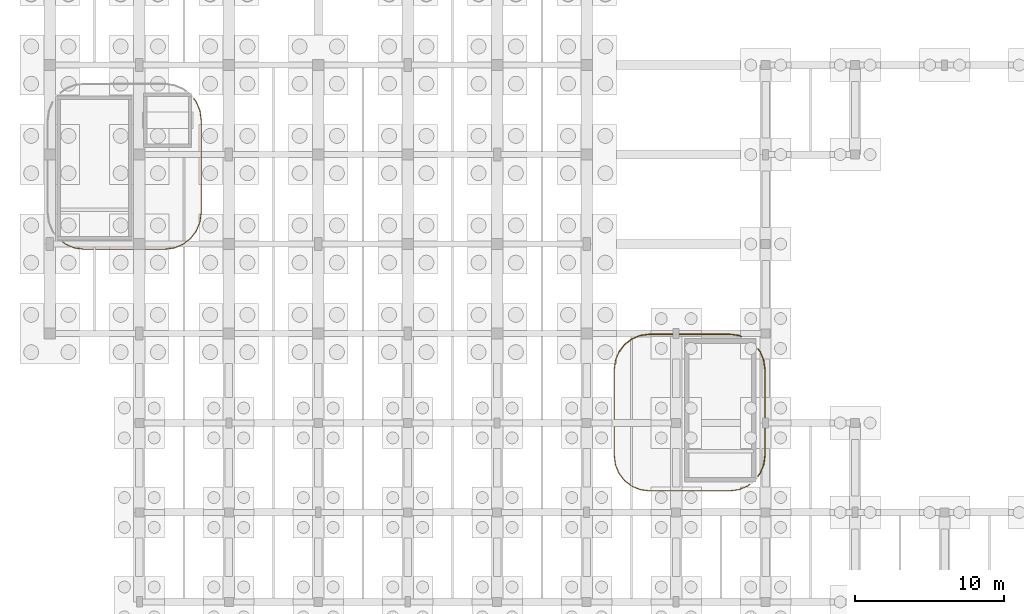
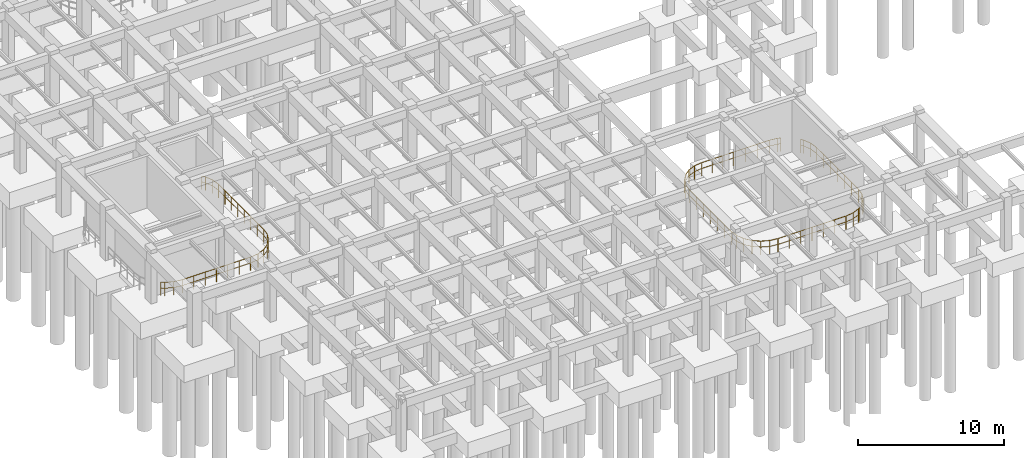
# One storey, part 23 of 32: 5 railings.
"""IFC4 building model written with IfcOpenShell, lengths in metres."""

from ifc_helpers import new_model, si_unit, direction, frame, origin, origin_2d, place, context, subcontext, project, spatial, circle, extrude, material, type_object, element, save


model = new_model("IFC4")

# Units and contexts
model_context = context("Model", 3, precision=1e-05, world=origin(), true_north=direction((0.0, 1.0)))
body_context = subcontext(model_context, "Body", "Model", "MODEL_VIEW")
ifc_project = project(units=[si_unit("LENGTHUNIT", "METRE"), si_unit("AREAUNIT", "SQUARE_METRE"), si_unit("VOLUMEUNIT", "CUBIC_METRE"), si_unit("PLANEANGLEUNIT", "RADIAN"), si_unit("MASSUNIT", "GRAM", prefix="KILO")], contexts=[model_context])

# Site, building, storey
site_placement = place(None, origin())
site = spatial("IfcSite", under=ifc_project, at=site_placement, CompositionType="ELEMENT")
building_placement = place(site_placement, origin())
building = spatial("IfcBuilding", under=site, at=building_placement, Name="Varnakota Square Police Headquarters", CompositionType="ELEMENT")
storey_placement = place(building_placement, frame((0.0, 0.0, -4.5)))
storey = spatial("IfcBuildingStorey", under=building, at=storey_placement, Name="B1", CompositionType="ELEMENT", Elevation=-4.5)

# Railings
ifc_material = material(Name="Galvanised Powder-Coated Steel Guardrail", Category="steel")
railing_type = type_object("IfcRailingType", Name="RL-BAL-1150", PredefinedType="BALUSTRADE", material=ifc_material)
railing_1_placement = place(storey_placement, frame((44.165283203125, 19.77490234375, 0.0)))
element("IfcRailing", 1, at=railing_1_placement, inside=storey, type_object=railing_type, Name="Perimeter edge safety guard GD-AUTO-B1-017", PredefinedType="BALUSTRADE", context=body_context, shape_type="SweptSolid", body=[
    extrude(circle(Radius=0.02392578125, at=origin_2d()), frame((0.0, 0.0, 1.1259765625), z_axis=(0.608690594776, 0.793407688286, 0.0), x_axis=(-0.793407688286, 0.608690594776, 0.0)), (0.0, 0.0, 1.0), 0.61328125),
    extrude(circle(Radius=0.01806640625, at=origin_2d()), frame((0.0, 0.0, 0.63232421875), z_axis=(0.608690594776, 0.793407688286, 0.0), x_axis=(-0.793407688286, 0.608690594776, 0.0)), (0.0, 0.0, 1.0), 0.61328125),
    extrude(circle(Radius=0.02392578125, at=origin_2d()), frame((0.373291015625, 0.486572265625, 1.1259765625), z_axis=(0.793407688286, 0.608690594776, 0.0), x_axis=(-0.608690594776, 0.793407688286, 0.0)), (0.0, 0.0, 1.0), 0.61328125),
    extrude(circle(Radius=0.01806640625, at=origin_2d()), frame((0.373291015625, 0.486572265625, 0.63232421875), z_axis=(0.793407688286, 0.608690594776, 0.0), x_axis=(-0.608690594776, 0.793407688286, 0.0)), (0.0, 0.0, 1.0), 0.61328125),
    extrude(circle(Radius=0.02392578125, at=origin_2d()), frame((0.85986328125, 0.85986328125, 1.1259765625), z_axis=(0.923934366778, 0.382551023901, 0.0), x_axis=(-0.382551023901, 0.923934366778, 0.0)), (0.0, 0.0, 1.0), 0.61328125),
    extrude(circle(Radius=0.01806640625, at=origin_2d()), frame((0.85986328125, 0.85986328125, 0.63232421875), z_axis=(0.923934366778, 0.382551023901, 0.0), x_axis=(-0.382551023901, 0.923934366778, 0.0)), (0.0, 0.0, 1.0), 0.61328125),
    extrude(circle(Radius=0.02392578125, at=origin_2d()), frame((1.426513671875, 1.094482421875, 1.1259765625), z_axis=(0.99143407694, 0.130608081992, 0.0), x_axis=(-0.130608081992, 0.99143407694, 0.0)), (0.0, 0.0, 1.0), 0.616943359375),
    extrude(circle(Radius=0.01806640625, at=origin_2d()), frame((1.426513671875, 1.094482421875, 0.63232421875), z_axis=(0.99143407694, 0.130608081992, 0.0), x_axis=(-0.130608081992, 0.99143407694, 0.0)), (0.0, 0.0, 1.0), 0.616943359375),
    extrude(circle(Radius=0.02392578125, at=origin_2d()), frame((2.0380859375, 1.175048828125, 1.1259765625), z_axis=(1.0, 0.0, 0.0), x_axis=(0.0, 1.0, 0.0)), (0.0, 0.0, 1.0), 2.49658203125),
    extrude(circle(Radius=0.01806640625, at=origin_2d()), frame((2.0380859375, 1.175048828125, 0.63232421875), z_axis=(1.0, 0.0, 0.0), x_axis=(0.0, 1.0, 0.0)), (0.0, 0.0, 1.0), 2.49658203125),
    extrude(circle(Radius=0.02099609375, at=origin_2d()), origin(), (0.0, 0.0, 1.0), 1.101806640625),
    extrude(circle(Radius=0.02099609375, at=origin_2d()), frame((0.373291015625, 0.486572265625, 0.0)), (0.0, 0.0, 1.0), 1.101806640625),
    extrude(circle(Radius=0.02099609375, at=origin_2d()), frame((0.85986328125, 0.85986328125, 0.0)), (0.0, 0.0, 1.0), 1.101806640625),
    extrude(circle(Radius=0.02099609375, at=origin_2d()), frame((1.426513671875, 1.094482421875, 0.0)), (0.0, 0.0, 1.0), 1.101806640625),
    extrude(circle(Radius=0.02099609375, at=origin_2d()), frame((2.0380859375, 1.175048828125, 0.0)), (0.0, 0.0, 1.0), 1.101806640625),
    extrude(circle(Radius=0.02099609375, at=origin_2d()), frame((2.870361328125, 1.175048828125, 0.0)), (0.0, 0.0, 1.0), 1.101806640625),
    extrude(circle(Radius=0.02099609375, at=origin_2d()), frame((3.702392578125, 1.175048828125, 0.0)), (0.0, 0.0, 1.0), 1.101806640625),
    extrude(circle(Radius=0.02099609375, at=origin_2d()), frame((4.53466796875, 1.175048828125, 0.0)), (0.0, 0.0, 1.0), 1.101806640625),
])
railing_2_placement = place(storey_placement, frame((48.699951171875, 20.949951171875, 0.0)))
element("IfcRailing", 2, at=railing_2_placement, inside=storey, type_object=railing_type, Name="Perimeter edge safety guard GD-AUTO-B1-018", PredefinedType="BALUSTRADE", context=body_context, shape_type="SweptSolid", body=[
    extrude(circle(Radius=0.02392578125, at=origin_2d()), frame((0.0, 0.0, 1.1259765625), z_axis=(1.0, 0.0, 0.0), x_axis=(0.0, 1.0, 0.0)), (0.0, 0.0, 1.0), 2.896728515625),
    extrude(circle(Radius=0.01806640625, at=origin_2d()), frame((0.0, 0.0, 0.63232421875), z_axis=(1.0, 0.0, 0.0), x_axis=(0.0, 1.0, 0.0)), (0.0, 0.0, 1.0), 2.896728515625),
    extrude(circle(Radius=0.02392578125, at=origin_2d()), frame((2.896728515625, 0.0, 1.1259765625), z_axis=(0.991427321527, -0.130659351479, 0.0), x_axis=(0.130659351479, 0.991427321527, 0.0)), (0.0, 0.0, 1.0), 0.61669921875),
    extrude(circle(Radius=0.01806640625, at=origin_2d()), frame((2.896728515625, 0.0, 0.63232421875), z_axis=(0.991427321527, -0.130659351479, 0.0), x_axis=(0.130659351479, 0.991427321527, 0.0)), (0.0, 0.0, 1.0), 0.61669921875),
    extrude(circle(Radius=0.02392578125, at=origin_2d()), frame((3.508056640625, -0.08056640625, 1.1259765625), z_axis=(0.924001557774, -0.382388704371, 0.0), x_axis=(0.382388704371, 0.924001557774, 0.0)), (0.0, 0.0, 1.0), 0.19482421875),
    extrude(circle(Radius=0.01806640625, at=origin_2d()), frame((3.508056640625, -0.08056640625, 0.63232421875), z_axis=(0.924001557774, -0.382388704371, 0.0), x_axis=(0.382388704371, 0.924001557774, 0.0)), (0.0, 0.0, 1.0), 0.19482421875),
    extrude(circle(Radius=0.02099609375, at=origin_2d()), origin(), (0.0, 0.0, 1.0), 1.101806640625),
    extrude(circle(Radius=0.02099609375, at=origin_2d()), frame((0.965576171875, 0.0, 0.0)), (0.0, 0.0, 1.0), 1.101806640625),
    extrude(circle(Radius=0.02099609375, at=origin_2d()), frame((1.93115234375, 0.0, 0.0)), (0.0, 0.0, 1.0), 1.101806640625),
    extrude(circle(Radius=0.02099609375, at=origin_2d()), frame((2.896728515625, 0.0, 0.0)), (0.0, 0.0, 1.0), 1.101806640625),
    extrude(circle(Radius=0.02099609375, at=origin_2d()), frame((3.508056640625, -0.08056640625, 0.0)), (0.0, 0.0, 1.0), 1.101806640625),
    extrude(circle(Radius=0.02099609375, at=origin_2d()), frame((3.68798828125, -0.155029296875, 0.0)), (0.0, 0.0, 1.0), 1.101806640625),
])
railing_3_placement = place(storey_placement, frame((53.4951171875, 19.95703125, 0.0)))
element("IfcRailing", 3, at=railing_3_placement, inside=storey, type_object=railing_type, Name="Perimeter edge safety guard GD-AUTO-B1-019", PredefinedType="BALUSTRADE", context=body_context, shape_type="SweptSolid", body=[
    extrude(circle(Radius=0.02392578125, at=origin_2d()), frame((0.0, 0.0, 1.1259765625), z_axis=(0.608476207617, -0.793572116927, 0.0), x_axis=(0.793572116927, 0.608476207617, 0.0)), (0.0, 0.0, 1.0), 0.2294921875),
    extrude(circle(Radius=0.01806640625, at=origin_2d()), frame((0.0, 0.0, 0.63232421875), z_axis=(0.608476207617, -0.793572116927, 0.0), x_axis=(0.793572116927, 0.608476207617, 0.0)), (0.0, 0.0, 1.0), 0.2294921875),
    extrude(circle(Radius=0.02392578125, at=origin_2d()), frame((0.1396484375, -0.18212890625, 1.1259765625), z_axis=(0.382410370431, -0.923992591197, 0.0), x_axis=(0.923992591197, 0.382410370431, 0.0)), (0.0, 0.0, 1.0), 0.613525390625),
    extrude(circle(Radius=0.01806640625, at=origin_2d()), frame((0.1396484375, -0.18212890625, 0.63232421875), z_axis=(0.382410370431, -0.923992591197, 0.0), x_axis=(0.923992591197, 0.382410370431, 0.0)), (0.0, 0.0, 1.0), 0.613525390625),
    extrude(circle(Radius=0.02392578125, at=origin_2d()), frame((0.374267578125, -0.7490234375, 1.1259765625), z_axis=(0.130659351479, -0.991427321527, 0.0), x_axis=(0.991427321527, 0.130659351479, 0.0)), (0.0, 0.0, 1.0), 0.61669921875),
    extrude(circle(Radius=0.01806640625, at=origin_2d()), frame((0.374267578125, -0.7490234375, 0.63232421875), z_axis=(0.130659351479, -0.991427321527, 0.0), x_axis=(0.991427321527, 0.130659351479, 0.0)), (0.0, 0.0, 1.0), 0.61669921875),
    extrude(circle(Radius=0.02392578125, at=origin_2d()), frame((0.454833984375, -1.3603515625, 1.1259765625), z_axis=(0.0, -1.0, 0.0), x_axis=(1.0, 0.0, 0.0)), (0.0, 0.0, 1.0), 5.79345703125),
    extrude(circle(Radius=0.01806640625, at=origin_2d()), frame((0.454833984375, -1.3603515625, 0.63232421875), z_axis=(0.0, -1.0, 0.0), x_axis=(1.0, 0.0, 0.0)), (0.0, 0.0, 1.0), 5.79345703125),
    extrude(circle(Radius=0.02392578125, at=origin_2d()), frame((0.454833984375, -7.15380859375, 1.1259765625), z_axis=(-0.130659351479, -0.991427321527, 0.0), x_axis=(0.991427321527, -0.130659351479, 0.0)), (0.0, 0.0, 1.0), 0.61669921875),
    extrude(circle(Radius=0.01806640625, at=origin_2d()), frame((0.454833984375, -7.15380859375, 0.63232421875), z_axis=(-0.130659351479, -0.991427321527, 0.0), x_axis=(0.991427321527, -0.130659351479, 0.0)), (0.0, 0.0, 1.0), 0.61669921875),
    extrude(circle(Radius=0.02392578125, at=origin_2d()), frame((0.374267578125, -7.76513671875, 1.1259765625), z_axis=(-0.382551023901, -0.923934366778, 0.0), x_axis=(0.923934366778, -0.382551023901, 0.0)), (0.0, 0.0, 1.0), 0.61328125),
    extrude(circle(Radius=0.01806640625, at=origin_2d()), frame((0.374267578125, -7.76513671875, 0.63232421875), z_axis=(-0.382551023901, -0.923934366778, 0.0), x_axis=(0.923934366778, -0.382551023901, 0.0)), (0.0, 0.0, 1.0), 0.61328125),
    extrude(circle(Radius=0.02392578125, at=origin_2d()), frame((0.1396484375, -8.331787109375, 1.1259765625), z_axis=(-0.608669472088, -0.793423892852, 0.0), x_axis=(0.793423892852, -0.608669472088, 0.0)), (0.0, 0.0, 1.0), 0.21533203125),
    extrude(circle(Radius=0.01806640625, at=origin_2d()), frame((0.1396484375, -8.331787109375, 0.63232421875), z_axis=(-0.608669472088, -0.793423892852, 0.0), x_axis=(0.793423892852, -0.608669472088, 0.0)), (0.0, 0.0, 1.0), 0.21533203125),
    extrude(circle(Radius=0.02099609375, at=origin_2d()), origin(), (0.0, 0.0, 1.0), 1.101806640625),
    extrude(circle(Radius=0.02099609375, at=origin_2d()), frame((0.1396484375, -0.18212890625, 0.0)), (0.0, 0.0, 1.0), 1.101806640625),
    extrude(circle(Radius=0.02099609375, at=origin_2d()), frame((0.374267578125, -0.7490234375, 0.0)), (0.0, 0.0, 1.0), 1.101806640625),
    extrude(circle(Radius=0.02099609375, at=origin_2d()), frame((0.454833984375, -1.3603515625, 0.0)), (0.0, 0.0, 1.0), 1.101806640625),
    extrude(circle(Radius=0.02099609375, at=origin_2d()), frame((0.454833984375, -2.325927734375, 0.0)), (0.0, 0.0, 1.0), 1.101806640625),
    extrude(circle(Radius=0.02099609375, at=origin_2d()), frame((0.454833984375, -3.29150390625, 0.0)), (0.0, 0.0, 1.0), 1.101806640625),
    extrude(circle(Radius=0.02099609375, at=origin_2d()), frame((0.454833984375, -4.257080078125, 0.0)), (0.0, 0.0, 1.0), 1.101806640625),
    extrude(circle(Radius=0.02099609375, at=origin_2d()), frame((0.454833984375, -5.22265625, 0.0)), (0.0, 0.0, 1.0), 1.101806640625),
    extrude(circle(Radius=0.02099609375, at=origin_2d()), frame((0.454833984375, -6.188232421875, 0.0)), (0.0, 0.0, 1.0), 1.101806640625),
    extrude(circle(Radius=0.02099609375, at=origin_2d()), frame((0.454833984375, -7.15380859375, 0.0)), (0.0, 0.0, 1.0), 1.101806640625),
    extrude(circle(Radius=0.02099609375, at=origin_2d()), frame((0.374267578125, -7.76513671875, 0.0)), (0.0, 0.0, 1.0), 1.101806640625),
    extrude(circle(Radius=0.02099609375, at=origin_2d()), frame((0.1396484375, -8.331787109375, 0.0)), (0.0, 0.0, 1.0), 1.101806640625),
    extrude(circle(Radius=0.02099609375, at=origin_2d()), frame((0.008544921875, -8.502685546875, 0.0)), (0.0, 0.0, 1.0), 1.101806640625),
])
railing_4_placement = place(storey_placement, frame((52.945556640625, 10.896240234375, 0.0)))
element("IfcRailing", 4, at=railing_4_placement, inside=storey, type_object=railing_type, Name="Perimeter edge safety guard GD-AUTO-B1-020", PredefinedType="BALUSTRADE", context=body_context, shape_type="SweptSolid", body=[
    extrude(circle(Radius=0.02392578125, at=origin_2d()), frame((0.0, 0.0, 1.1259765625), z_axis=(-0.793003402214, -0.609217205993, 0.0), x_axis=(0.609217205993, -0.793003402214, 0.0)), (0.0, 0.0, 1.0), 0.215087890625),
    extrude(circle(Radius=0.01806640625, at=origin_2d()), frame((0.0, 0.0, 0.63232421875), z_axis=(-0.793003402214, -0.609217205993, 0.0), x_axis=(0.609217205993, -0.793003402214, 0.0)), (0.0, 0.0, 1.0), 0.215087890625),
    extrude(circle(Radius=0.02392578125, at=origin_2d()), frame((-0.170654296875, -0.131103515625, 1.1259765625), z_axis=(-0.923992591197, -0.382410370431, 0.0), x_axis=(0.382410370431, -0.923992591197, 0.0)), (0.0, 0.0, 1.0), 0.613525390625),
    extrude(circle(Radius=0.01806640625, at=origin_2d()), frame((-0.170654296875, -0.131103515625, 0.63232421875), z_axis=(-0.923992591197, -0.382410370431, 0.0), x_axis=(0.382410370431, -0.923992591197, 0.0)), (0.0, 0.0, 1.0), 0.613525390625),
    extrude(circle(Radius=0.02392578125, at=origin_2d()), frame((-0.737548828125, -0.36572265625, 1.1259765625), z_axis=(-0.991427321527, -0.130659351479, 0.0), x_axis=(0.130659351479, -0.991427321527, 0.0)), (0.0, 0.0, 1.0), 0.61669921875),
    extrude(circle(Radius=0.01806640625, at=origin_2d()), frame((-0.737548828125, -0.36572265625, 0.63232421875), z_axis=(-0.991427321527, -0.130659351479, 0.0), x_axis=(0.130659351479, -0.991427321527, 0.0)), (0.0, 0.0, 1.0), 0.61669921875),
    extrude(circle(Radius=0.02392578125, at=origin_2d()), frame((-1.348876953125, -0.4462890625, 1.1259765625), z_axis=(-1.0, 0.0, 0.0), x_axis=(0.0, -1.0, 0.0)), (0.0, 0.0, 1.0), 5.393310546875),
    extrude(circle(Radius=0.01806640625, at=origin_2d()), frame((-1.348876953125, -0.4462890625, 0.63232421875), z_axis=(-1.0, 0.0, 0.0), x_axis=(0.0, -1.0, 0.0)), (0.0, 0.0, 1.0), 5.393310546875),
    extrude(circle(Radius=0.02392578125, at=origin_2d()), frame((-6.7421875, -0.4462890625, 1.1259765625), z_axis=(-0.99143407694, 0.130608081992, 0.0), x_axis=(-0.130608081992, -0.99143407694, 0.0)), (0.0, 0.0, 1.0), 0.616943359375),
    extrude(circle(Radius=0.01806640625, at=origin_2d()), frame((-6.7421875, -0.4462890625, 0.63232421875), z_axis=(-0.99143407694, 0.130608081992, 0.0), x_axis=(-0.130608081992, -0.99143407694, 0.0)), (0.0, 0.0, 1.0), 0.616943359375),
    extrude(circle(Radius=0.02392578125, at=origin_2d()), frame((-7.353759765625, -0.36572265625, 1.1259765625), z_axis=(-0.923934366778, 0.382551023901, 0.0), x_axis=(-0.382551023901, -0.923934366778, 0.0)), (0.0, 0.0, 1.0), 0.61328125),
    extrude(circle(Radius=0.01806640625, at=origin_2d()), frame((-7.353759765625, -0.36572265625, 0.63232421875), z_axis=(-0.923934366778, 0.382551023901, 0.0), x_axis=(-0.382551023901, -0.923934366778, 0.0)), (0.0, 0.0, 1.0), 0.61328125),
    extrude(circle(Radius=0.02392578125, at=origin_2d()), frame((-7.92041015625, -0.131103515625, 1.1259765625), z_axis=(-0.79321543834, 0.608941104195, 0.0), x_axis=(-0.608941104195, -0.79321543834, 0.0)), (0.0, 0.0, 1.0), 0.613525390625),
    extrude(circle(Radius=0.01806640625, at=origin_2d()), frame((-7.92041015625, -0.131103515625, 0.63232421875), z_axis=(-0.79321543834, 0.608941104195, 0.0), x_axis=(-0.608941104195, -0.79321543834, 0.0)), (0.0, 0.0, 1.0), 0.613525390625),
    extrude(circle(Radius=0.02392578125, at=origin_2d()), frame((-8.406982421875, 0.242431640625, 1.1259765625), z_axis=(-0.608690594776, 0.793407688286, 0.0), x_axis=(-0.793407688286, -0.608690594776, 0.0)), (0.0, 0.0, 1.0), 0.61328125),
    extrude(circle(Radius=0.01806640625, at=origin_2d()), frame((-8.406982421875, 0.242431640625, 0.63232421875), z_axis=(-0.608690594776, 0.793407688286, 0.0), x_axis=(-0.793407688286, -0.608690594776, 0.0)), (0.0, 0.0, 1.0), 0.61328125),
    extrude(circle(Radius=0.02392578125, at=origin_2d()), frame((-8.7802734375, 0.72900390625, 1.1259765625), z_axis=(-0.382890765713, 0.923793624968, 0.0), x_axis=(-0.923793624968, -0.382890765713, 0.0)), (0.0, 0.0, 1.0), 0.61328125),
    extrude(circle(Radius=0.01806640625, at=origin_2d()), frame((-8.7802734375, 0.72900390625, 0.63232421875), z_axis=(-0.382890765713, 0.923793624968, 0.0), x_axis=(-0.923793624968, -0.382890765713, 0.0)), (0.0, 0.0, 1.0), 0.61328125),
    extrude(circle(Radius=0.02392578125, at=origin_2d()), frame((-9.01513671875, 1.295654296875, 1.1259765625), z_axis=(-0.130270143269, 0.991478537222, 0.0), x_axis=(-0.991478537222, -0.130270143269, 0.0)), (0.0, 0.0, 1.0), 0.61669921875),
    extrude(circle(Radius=0.01806640625, at=origin_2d()), frame((-9.01513671875, 1.295654296875, 0.63232421875), z_axis=(-0.130270143269, 0.991478537222, 0.0), x_axis=(-0.991478537222, -0.130270143269, 0.0)), (0.0, 0.0, 1.0), 0.61669921875),
    extrude(circle(Radius=0.02392578125, at=origin_2d()), frame((-9.095458984375, 1.906982421875, 1.1259765625), z_axis=(0.0, 1.0, 0.0), x_axis=(-1.0, 0.0, 0.0)), (0.0, 0.0, 1.0), 5.79345703125),
    extrude(circle(Radius=0.01806640625, at=origin_2d()), frame((-9.095458984375, 1.906982421875, 0.63232421875), z_axis=(0.0, 1.0, 0.0), x_axis=(-1.0, 0.0, 0.0)), (0.0, 0.0, 1.0), 5.79345703125),
    extrude(circle(Radius=0.02392578125, at=origin_2d()), frame((-9.095458984375, 7.700439453125, 1.1259765625), z_axis=(0.130270143269, 0.991478537222, 0.0), x_axis=(-0.991478537222, 0.130270143269, 0.0)), (0.0, 0.0, 1.0), 0.61669921875),
    extrude(circle(Radius=0.01806640625, at=origin_2d()), frame((-9.095458984375, 7.700439453125, 0.63232421875), z_axis=(0.130270143269, 0.991478537222, 0.0), x_axis=(-0.991478537222, 0.130270143269, 0.0)), (0.0, 0.0, 1.0), 0.61669921875),
    extrude(circle(Radius=0.02392578125, at=origin_2d()), frame((-9.01513671875, 8.311767578125, 1.1259765625), z_axis=(0.382750030192, 0.923851943976, 0.0), x_axis=(-0.923851943976, 0.382750030192, 0.0)), (0.0, 0.0, 1.0), 0.613525390625),
    extrude(circle(Radius=0.01806640625, at=origin_2d()), frame((-9.01513671875, 8.311767578125, 0.63232421875), z_axis=(0.382750030192, 0.923851943976, 0.0), x_axis=(-0.923851943976, 0.382750030192, 0.0)), (0.0, 0.0, 1.0), 0.613525390625),
    extrude(circle(Radius=0.02099609375, at=origin_2d()), origin(), (0.0, 0.0, 1.0), 1.101806640625),
    extrude(circle(Radius=0.02099609375, at=origin_2d()), frame((-0.170654296875, -0.131103515625, 0.0)), (0.0, 0.0, 1.0), 1.101806640625),
    extrude(circle(Radius=0.02099609375, at=origin_2d()), frame((-0.737548828125, -0.36572265625, 0.0)), (0.0, 0.0, 1.0), 1.101806640625),
    extrude(circle(Radius=0.02099609375, at=origin_2d()), frame((-1.348876953125, -0.4462890625, 0.0)), (0.0, 0.0, 1.0), 1.101806640625),
    extrude(circle(Radius=0.02099609375, at=origin_2d()), frame((-2.247802734375, -0.4462890625, 0.0)), (0.0, 0.0, 1.0), 1.101806640625),
    extrude(circle(Radius=0.02099609375, at=origin_2d()), frame((-3.146728515625, -0.4462890625, 0.0)), (0.0, 0.0, 1.0), 1.101806640625),
    extrude(circle(Radius=0.02099609375, at=origin_2d()), frame((-4.04541015625, -0.4462890625, 0.0)), (0.0, 0.0, 1.0), 1.101806640625),
    extrude(circle(Radius=0.02099609375, at=origin_2d()), frame((-4.9443359375, -0.4462890625, 0.0)), (0.0, 0.0, 1.0), 1.101806640625),
    extrude(circle(Radius=0.02099609375, at=origin_2d()), frame((-5.84326171875, -0.4462890625, 0.0)), (0.0, 0.0, 1.0), 1.101806640625),
    extrude(circle(Radius=0.02099609375, at=origin_2d()), frame((-6.7421875, -0.4462890625, 0.0)), (0.0, 0.0, 1.0), 1.101806640625),
    extrude(circle(Radius=0.02099609375, at=origin_2d()), frame((-7.353759765625, -0.36572265625, 0.0)), (0.0, 0.0, 1.0), 1.101806640625),
    extrude(circle(Radius=0.02099609375, at=origin_2d()), frame((-7.92041015625, -0.131103515625, 0.0)), (0.0, 0.0, 1.0), 1.101806640625),
    extrude(circle(Radius=0.02099609375, at=origin_2d()), frame((-8.406982421875, 0.242431640625, 0.0)), (0.0, 0.0, 1.0), 1.101806640625),
    extrude(circle(Radius=0.02099609375, at=origin_2d()), frame((-8.7802734375, 0.72900390625, 0.0)), (0.0, 0.0, 1.0), 1.101806640625),
    extrude(circle(Radius=0.02099609375, at=origin_2d()), frame((-9.01513671875, 1.295654296875, 0.0)), (0.0, 0.0, 1.0), 1.101806640625),
    extrude(circle(Radius=0.02099609375, at=origin_2d()), frame((-9.095458984375, 1.906982421875, 0.0)), (0.0, 0.0, 1.0), 1.101806640625),
    extrude(circle(Radius=0.02099609375, at=origin_2d()), frame((-9.095458984375, 2.87255859375, 0.0)), (0.0, 0.0, 1.0), 1.101806640625),
    extrude(circle(Radius=0.02099609375, at=origin_2d()), frame((-9.095458984375, 3.838134765625, 0.0)), (0.0, 0.0, 1.0), 1.101806640625),
    extrude(circle(Radius=0.02099609375, at=origin_2d()), frame((-9.095458984375, 4.8037109375, 0.0)), (0.0, 0.0, 1.0), 1.101806640625),
    extrude(circle(Radius=0.02099609375, at=origin_2d()), frame((-9.095458984375, 5.769287109375, 0.0)), (0.0, 0.0, 1.0), 1.101806640625),
    extrude(circle(Radius=0.02099609375, at=origin_2d()), frame((-9.095458984375, 6.73486328125, 0.0)), (0.0, 0.0, 1.0), 1.101806640625),
    extrude(circle(Radius=0.02099609375, at=origin_2d()), frame((-9.095458984375, 7.700439453125, 0.0)), (0.0, 0.0, 1.0), 1.101806640625),
    extrude(circle(Radius=0.02099609375, at=origin_2d()), frame((-9.01513671875, 8.311767578125, 0.0)), (0.0, 0.0, 1.0), 1.101806640625),
    extrude(circle(Radius=0.02099609375, at=origin_2d()), frame((-8.7802734375, 8.878662109375, 0.0)), (0.0, 0.0, 1.0), 1.101806640625),
])
railing_5_placement = place(storey_placement, frame((15.659912109375, 36.735107421875, 0.0)))
element("IfcRailing", 5, at=railing_5_placement, inside=storey, type_object=railing_type, Name="Perimeter edge safety guard GD-AUTO-B1-022", PredefinedType="BALUSTRADE", context=body_context, shape_type="SweptSolid", body=[
    extrude(circle(Radius=0.02392578125, at=origin_2d()), frame((0.0, 0.0, 1.1259765625), z_axis=(0.608953610344, -0.793205837377, 0.0), x_axis=(0.793205837377, 0.608953610344, 0.0)), (0.0, 0.0, 1.0), 0.264892578125),
    extrude(circle(Radius=0.01806640625, at=origin_2d()), frame((0.0, 0.0, 0.63232421875), z_axis=(0.608953610344, -0.793205837377, 0.0), x_axis=(0.793205837377, 0.608953610344, 0.0)), (0.0, 0.0, 1.0), 0.264892578125),
    extrude(circle(Radius=0.02392578125, at=origin_2d()), frame((0.161376953125, -0.210205078125, 1.1259765625), z_axis=(0.382744980625, -0.923854035985, 0.0), x_axis=(0.923854035985, 0.382744980625, 0.0)), (0.0, 0.0, 1.0), 0.639892578125),
    extrude(circle(Radius=0.01806640625, at=origin_2d()), frame((0.161376953125, -0.210205078125, 0.63232421875), z_axis=(0.382744980625, -0.923854035985, 0.0), x_axis=(0.923854035985, 0.382744980625, 0.0)), (0.0, 0.0, 1.0), 0.639892578125),
    extrude(circle(Radius=0.02392578125, at=origin_2d()), frame((0.40625, -0.80126953125, 1.1259765625), z_axis=(0.130297285414, -0.991474970644, 0.0), x_axis=(0.991474970644, 0.130297285414, 0.0)), (0.0, 0.0, 1.0), 0.642578125),
    extrude(circle(Radius=0.01806640625, at=origin_2d()), frame((0.40625, -0.80126953125, 0.63232421875), z_axis=(0.130297285414, -0.991474970644, 0.0), x_axis=(0.991474970644, 0.130297285414, 0.0)), (0.0, 0.0, 1.0), 0.642578125),
    extrude(circle(Radius=0.02392578125, at=origin_2d()), frame((0.489990234375, -1.4384765625, 1.1259765625), z_axis=(0.0, -1.0, 0.0), x_axis=(1.0, 0.0, 0.0)), (0.0, 0.0, 1.0), 6.193359375),
    extrude(circle(Radius=0.01806640625, at=origin_2d()), frame((0.489990234375, -1.4384765625, 0.63232421875), z_axis=(0.0, -1.0, 0.0), x_axis=(1.0, 0.0, 0.0)), (0.0, 0.0, 1.0), 6.193359375),
    extrude(circle(Radius=0.02392578125, at=origin_2d()), frame((0.489990234375, -7.6318359375, 1.1259765625), z_axis=(-0.130297285414, -0.991474970644, 0.0), x_axis=(0.991474970644, -0.130297285414, 0.0)), (0.0, 0.0, 1.0), 0.642578125),
    extrude(circle(Radius=0.01806640625, at=origin_2d()), frame((0.489990234375, -7.6318359375, 0.63232421875), z_axis=(-0.130297285414, -0.991474970644, 0.0), x_axis=(0.991474970644, -0.130297285414, 0.0)), (0.0, 0.0, 1.0), 0.642578125),
    extrude(circle(Radius=0.02392578125, at=origin_2d()), frame((0.40625, -8.26904296875, 1.1259765625), z_axis=(-0.382879958138, -0.92379810438, 0.0), x_axis=(0.92379810438, -0.382879958138, 0.0)), (0.0, 0.0, 1.0), 0.6396484375),
    extrude(circle(Radius=0.01806640625, at=origin_2d()), frame((0.40625, -8.26904296875, 0.63232421875), z_axis=(-0.382879958138, -0.92379810438, 0.0), x_axis=(0.92379810438, -0.382879958138, 0.0)), (0.0, 0.0, 1.0), 0.6396484375),
    extrude(circle(Radius=0.02392578125, at=origin_2d()), frame((0.161376953125, -8.85986328125, 1.1259765625), z_axis=(-0.60863994033, -0.793446547056, 0.0), x_axis=(0.793446547056, -0.60863994033, 0.0)), (0.0, 0.0, 1.0), 0.639404296875),
    extrude(circle(Radius=0.01806640625, at=origin_2d()), frame((0.161376953125, -8.85986328125, 0.63232421875), z_axis=(-0.60863994033, -0.793446547056, 0.0), x_axis=(0.793446547056, -0.60863994033, 0.0)), (0.0, 0.0, 1.0), 0.639404296875),
    extrude(circle(Radius=0.02392578125, at=origin_2d()), frame((-0.227783203125, -9.3671875, 1.1259765625), z_axis=(-0.793262158038, -0.608880241612, 0.0), x_axis=(0.608880241612, -0.793262158038, 0.0)), (0.0, 0.0, 1.0), 0.6396484375),
    extrude(circle(Radius=0.01806640625, at=origin_2d()), frame((-0.227783203125, -9.3671875, 0.63232421875), z_axis=(-0.793262158038, -0.608880241612, 0.0), x_axis=(0.608880241612, -0.793262158038, 0.0)), (0.0, 0.0, 1.0), 0.6396484375),
    extrude(circle(Radius=0.02392578125, at=origin_2d()), frame((-0.735107421875, -9.756591796875, 1.1259765625), z_axis=(-0.923933087676, -0.382554113162, 0.0), x_axis=(0.382554113162, -0.923933087676, 0.0)), (0.0, 0.0, 1.0), 0.639404296875),
    extrude(circle(Radius=0.01806640625, at=origin_2d()), frame((-0.735107421875, -9.756591796875, 0.63232421875), z_axis=(-0.923933087676, -0.382554113162, 0.0), x_axis=(0.382554113162, -0.923933087676, 0.0)), (0.0, 0.0, 1.0), 0.639404296875),
    extrude(circle(Radius=0.02392578125, at=origin_2d()), frame((-1.325927734375, -10.001220703125, 1.1259765625), z_axis=(-0.991425827979, -0.130670683841, 0.0), x_axis=(0.130670683841, -0.991425827979, 0.0)), (0.0, 0.0, 1.0), 0.642822265625),
    extrude(circle(Radius=0.01806640625, at=origin_2d()), frame((-1.325927734375, -10.001220703125, 0.63232421875), z_axis=(-0.991425827979, -0.130670683841, 0.0), x_axis=(0.130670683841, -0.991425827979, 0.0)), (0.0, 0.0, 1.0), 0.642822265625),
    extrude(circle(Radius=0.02392578125, at=origin_2d()), frame((-1.963134765625, -10.085205078125, 1.1259765625), z_axis=(-1.0, 0.0, 0.0), x_axis=(0.0, -1.0, 0.0)), (0.0, 0.0, 1.0), 5.3935546875),
    extrude(circle(Radius=0.01806640625, at=origin_2d()), frame((-1.963134765625, -10.085205078125, 0.63232421875), z_axis=(-1.0, 0.0, 0.0), x_axis=(0.0, -1.0, 0.0)), (0.0, 0.0, 1.0), 5.3935546875),
    extrude(circle(Radius=0.02392578125, at=origin_2d()), frame((-7.356689453125, -10.085205078125, 1.1259765625), z_axis=(-0.991425827979, 0.130670683841, 0.0), x_axis=(-0.130670683841, -0.991425827979, 0.0)), (0.0, 0.0, 1.0), 0.642822265625),
    extrude(circle(Radius=0.01806640625, at=origin_2d()), frame((-7.356689453125, -10.085205078125, 0.63232421875), z_axis=(-0.991425827979, 0.130670683841, 0.0), x_axis=(-0.130670683841, -0.991425827979, 0.0)), (0.0, 0.0, 1.0), 0.642822265625),
    extrude(circle(Radius=0.02392578125, at=origin_2d()), frame((-7.993896484375, -10.001220703125, 1.1259765625), z_axis=(-0.923933087676, 0.382554113162, 0.0), x_axis=(-0.382554113162, -0.923933087676, 0.0)), (0.0, 0.0, 1.0), 0.639404296875),
    extrude(circle(Radius=0.01806640625, at=origin_2d()), frame((-7.993896484375, -10.001220703125, 0.63232421875), z_axis=(-0.923933087676, 0.382554113162, 0.0), x_axis=(-0.382554113162, -0.923933087676, 0.0)), (0.0, 0.0, 1.0), 0.639404296875),
    extrude(circle(Radius=0.02392578125, at=origin_2d()), frame((-8.584716796875, -9.756591796875, 1.1259765625), z_axis=(-0.793547089422, 0.608508846993, 0.0), x_axis=(-0.608508846993, -0.793547089422, 0.0)), (0.0, 0.0, 1.0), 0.26513671875),
    extrude(circle(Radius=0.01806640625, at=origin_2d()), frame((-8.584716796875, -9.756591796875, 0.63232421875), z_axis=(-0.793547089422, 0.608508846993, 0.0), x_axis=(-0.608508846993, -0.793547089422, 0.0)), (0.0, 0.0, 1.0), 0.26513671875),
    extrude(circle(Radius=0.02099609375, at=origin_2d()), origin(), (0.0, 0.0, 1.0), 1.101806640625),
    extrude(circle(Radius=0.02099609375, at=origin_2d()), frame((0.161376953125, -0.210205078125, 0.0)), (0.0, 0.0, 1.0), 1.101806640625),
    extrude(circle(Radius=0.02099609375, at=origin_2d()), frame((0.40625, -0.80126953125, 0.0)), (0.0, 0.0, 1.0), 1.101806640625),
    extrude(circle(Radius=0.02099609375, at=origin_2d()), frame((0.489990234375, -1.4384765625, 0.0)), (0.0, 0.0, 1.0), 1.101806640625),
    extrude(circle(Radius=0.02099609375, at=origin_2d()), frame((0.489990234375, -2.3232421875, 0.0)), (0.0, 0.0, 1.0), 1.101806640625),
    extrude(circle(Radius=0.02099609375, at=origin_2d()), frame((0.489990234375, -3.2080078125, 0.0)), (0.0, 0.0, 1.0), 1.101806640625),
    extrude(circle(Radius=0.02099609375, at=origin_2d()), frame((0.489990234375, -4.0927734375, 0.0)), (0.0, 0.0, 1.0), 1.101806640625),
    extrude(circle(Radius=0.02099609375, at=origin_2d()), frame((0.489990234375, -4.9775390625, 0.0)), (0.0, 0.0, 1.0), 1.101806640625),
    extrude(circle(Radius=0.02099609375, at=origin_2d()), frame((0.489990234375, -5.8623046875, 0.0)), (0.0, 0.0, 1.0), 1.101806640625),
    extrude(circle(Radius=0.02099609375, at=origin_2d()), frame((0.489990234375, -6.7470703125, 0.0)), (0.0, 0.0, 1.0), 1.101806640625),
    extrude(circle(Radius=0.02099609375, at=origin_2d()), frame((0.489990234375, -7.6318359375, 0.0)), (0.0, 0.0, 1.0), 1.101806640625),
    extrude(circle(Radius=0.02099609375, at=origin_2d()), frame((0.40625, -8.26904296875, 0.0)), (0.0, 0.0, 1.0), 1.101806640625),
    extrude(circle(Radius=0.02099609375, at=origin_2d()), frame((0.161376953125, -8.85986328125, 0.0)), (0.0, 0.0, 1.0), 1.101806640625),
    extrude(circle(Radius=0.02099609375, at=origin_2d()), frame((-0.227783203125, -9.3671875, 0.0)), (0.0, 0.0, 1.0), 1.101806640625),
    extrude(circle(Radius=0.02099609375, at=origin_2d()), frame((-0.735107421875, -9.756591796875, 0.0)), (0.0, 0.0, 1.0), 1.101806640625),
    extrude(circle(Radius=0.02099609375, at=origin_2d()), frame((-1.325927734375, -10.001220703125, 0.0)), (0.0, 0.0, 1.0), 1.101806640625),
    extrude(circle(Radius=0.02099609375, at=origin_2d()), frame((-1.963134765625, -10.085205078125, 0.0)), (0.0, 0.0, 1.0), 1.101806640625),
    extrude(circle(Radius=0.02099609375, at=origin_2d()), frame((-2.862060546875, -10.085205078125, 0.0)), (0.0, 0.0, 1.0), 1.101806640625),
    extrude(circle(Radius=0.02099609375, at=origin_2d()), frame((-3.760986328125, -10.085205078125, 0.0)), (0.0, 0.0, 1.0), 1.101806640625),
    extrude(circle(Radius=0.02099609375, at=origin_2d()), frame((-4.659912109375, -10.085205078125, 0.0)), (0.0, 0.0, 1.0), 1.101806640625),
    extrude(circle(Radius=0.02099609375, at=origin_2d()), frame((-5.558837890625, -10.085205078125, 0.0)), (0.0, 0.0, 1.0), 1.101806640625),
    extrude(circle(Radius=0.02099609375, at=origin_2d()), frame((-6.457763671875, -10.085205078125, 0.0)), (0.0, 0.0, 1.0), 1.101806640625),
    extrude(circle(Radius=0.02099609375, at=origin_2d()), frame((-7.356689453125, -10.085205078125, 0.0)), (0.0, 0.0, 1.0), 1.101806640625),
    extrude(circle(Radius=0.02099609375, at=origin_2d()), frame((-7.993896484375, -10.001220703125, 0.0)), (0.0, 0.0, 1.0), 1.101806640625),
    extrude(circle(Radius=0.02099609375, at=origin_2d()), frame((-8.584716796875, -9.756591796875, 0.0)), (0.0, 0.0, 1.0), 1.101806640625),
    extrude(circle(Radius=0.02099609375, at=origin_2d()), frame((-8.795166015625, -9.59521484375, 0.0)), (0.0, 0.0, 1.0), 1.101806640625),
])

save(model, "model.ifc")
